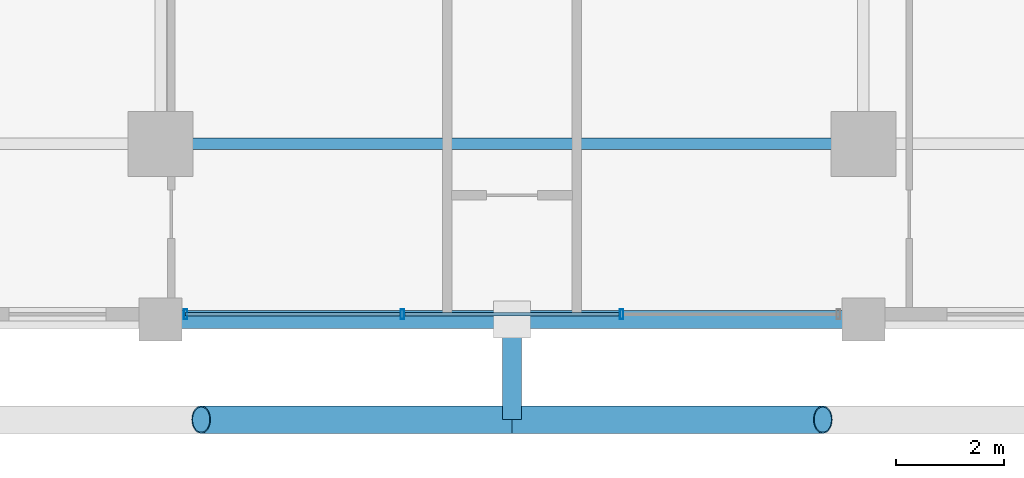
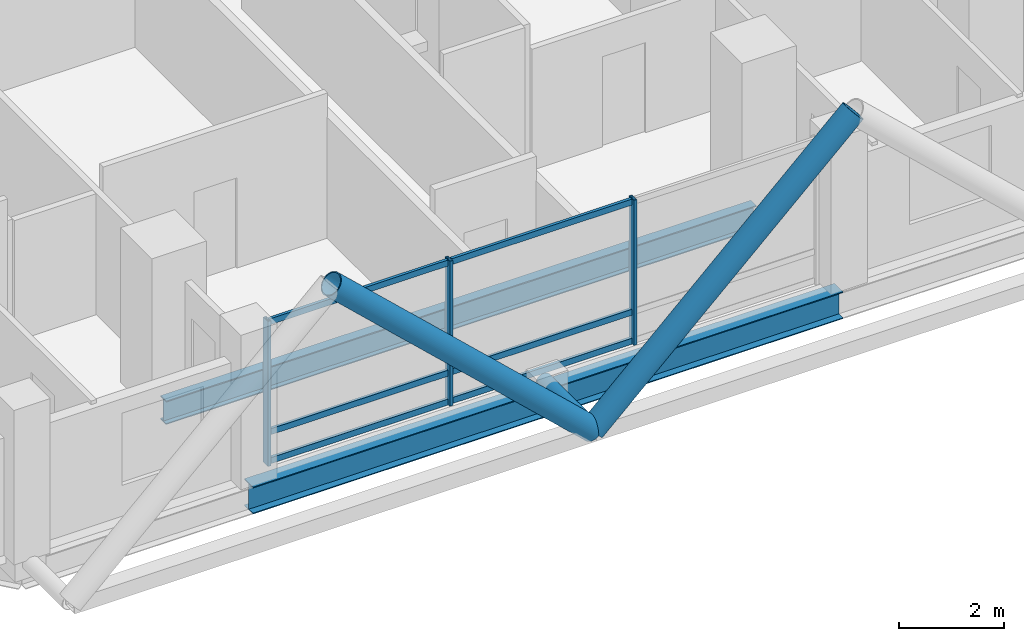
# One storey, part 2 of 25: 12 members, 2 beams, 1 element without a shape of its own.
"""IFC4 building model written with IfcOpenShell, lengths in metres."""

from ifc_helpers import new_model, si_unit, direction, frame, origin, origin_2d, place, context, subcontext, project, spatial, hollow_rectangle, hollow_circle, i_section, extrude, material, layer, layer_set, material_profile, profile_set, type_object, element, aggregate, save


model = new_model("IFC4")

# Units and contexts
model_context = context("Model", 3, precision=1e-05, world=origin(), true_north=direction((0.0, 1.0)))
body_context = subcontext(model_context, "Body", "Model", "MODEL_VIEW")
ifc_project = project(units=[si_unit("LENGTHUNIT", "METRE"), si_unit("AREAUNIT", "SQUARE_METRE"), si_unit("VOLUMEUNIT", "CUBIC_METRE"), si_unit("PLANEANGLEUNIT", "RADIAN"), si_unit("MASSUNIT", "GRAM", prefix="KILO")], contexts=[model_context])

# Site, building, storey
site_placement = place(None, origin())
site = spatial("IfcSite", under=ifc_project, at=site_placement, CompositionType="ELEMENT")
building_placement = place(site_placement, origin())
building = spatial("IfcBuilding", under=site, at=building_placement, Name="Barlavira Tower and Art Museum", CompositionType="ELEMENT")
storey_placement = place(building_placement, frame((0.0, 0.0, 133.199951171875)))
storey = spatial("IfcBuildingStorey", under=building, at=storey_placement, Name="L33", CompositionType="ELEMENT", Elevation=133.199951171875)

# Curtain wall, members
ifc_material_1 = material(Name="Low-iron coastal laminated glass", Category="glass")
ifc_layer = layer(ifc_material_1, 0.18994140625, Name="Low-iron coastal laminated glass")
ifc_layer_set = layer_set([ifc_layer], Name="Low-iron coastal laminated glass")
curtain_wall_type = type_object("IfcCurtainWallType", Name="Pale-Metal Unitised Curtain Wall Zone 2", PredefinedType="NOTDEFINED", material=ifc_layer_set)
curtain_wall_placement = place(storey_placement, origin())
curtain_wall = element("IfcCurtainWall", 1, at=curtain_wall_placement, inside=storey, type_object=curtain_wall_type, Name="L33 Curtain Wall CW2-L33-S-B3", PredefinedType="NOTDEFINED")
ifc_material_2 = material(Name="Pale anodised aluminium", Category="aluminium")
ifc_material_profile_1 = material_profile(ifc_material_2, hollow_rectangle(XDim=0.06494140625, YDim=0.179931640625, WallThickness=0.00390625, at=origin_2d()), Name="ALU-MULL 65x180x4")
ifc_profile_set_1 = profile_set([ifc_material_profile_1], Name="Pale anodised aluminium")
member_type_1 = type_object("IfcMemberType", Name="Curtain Wall Pale-Metal Mullion 65x180", PredefinedType="MULLION", material=ifc_profile_set_1)
member_1_placement = place(storey_placement, frame((-6.034912109375, -23.14990234375, 0.0), z_axis=(0.0, 0.0, 1.0), x_axis=(1.0, 0.0, 0.0)))
member_1 = element("IfcMember", 2, at=member_1_placement, type_object=member_type_1, Name="CW2-L33-S-B3 Mullion 0", PredefinedType="MULLION", context=body_context, shape_type="SweptSolid", body=[
    extrude(hollow_rectangle(XDim=0.06494140625, YDim=0.179931640625, WallThickness=0.00390625, at=origin_2d()), origin(), (0.0, 0.0, 1.0), 3.380126953125),
])
member_2_placement = place(storey_placement, frame((-2.026611328125, -23.14990234375, 0.0), z_axis=(0.0, 0.0, 1.0), x_axis=(1.0, 0.0, 0.0)))
member_2 = element("IfcMember", 3, at=member_2_placement, type_object=member_type_1, Name="CW2-L33-S-B3 Mullion 1", PredefinedType="MULLION", context=body_context, shape_type="SweptSolid", body=[
    extrude(hollow_rectangle(XDim=0.06494140625, YDim=0.179931640625, WallThickness=0.00390625, at=origin_2d()), origin(), (0.0, 0.0, 1.0), 3.380126953125),
])
member_3_placement = place(storey_placement, frame((2.026611328125, -23.14990234375, 0.0), z_axis=(0.0, 0.0, 1.0), x_axis=(1.0, 0.0, 0.0)))
member_3 = element("IfcMember", 4, at=member_3_placement, type_object=member_type_1, Name="CW2-L33-S-B3 Mullion 2", PredefinedType="MULLION", context=body_context, shape_type="SweptSolid", body=[
    extrude(hollow_rectangle(XDim=0.06494140625, YDim=0.179931640625, WallThickness=0.00390625, at=origin_2d()), origin(), (0.0, 0.0, 1.0), 3.380126953125),
])
ifc_material_profile_2 = material_profile(ifc_material_2, hollow_rectangle(XDim=0.06494140625, YDim=0.139892578125, WallThickness=0.00390625, at=origin_2d()), Name="ALU-TRAN 65x140x4")
ifc_profile_set_2 = profile_set([ifc_material_profile_2], Name="Pale anodised aluminium")
member_type_2 = type_object("IfcMemberType", Name="Curtain Wall Pale-Metal Transom 65x140", PredefinedType="USERDEFINED", material=ifc_profile_set_2)
member_4_placement = place(storey_placement, frame((-6.034912109375, -23.14990234375, 0.070068359375), z_axis=(1.0, 0.0, 0.0), x_axis=(0.0, 1.0, 0.0)))
member_4 = element("IfcMember", 5, at=member_4_placement, type_object=member_type_2, Name="CW2-L33-S-B3 Transom 0.1", ObjectType="TRANSOM", PredefinedType="USERDEFINED", context=body_context, shape_type="SweptSolid", body=[
    extrude(hollow_rectangle(XDim=0.06494140625, YDim=0.139892578125, WallThickness=0.00390625, at=origin_2d()), origin(), (0.0, 0.0, 1.0), 3.963134765625),
])
member_5_placement = place(storey_placement, frame((-6.034912109375, -23.14990234375, 0.744140625), z_axis=(1.0, 0.0, 0.0), x_axis=(0.0, 1.0, 0.0)))
member_5 = element("IfcMember", 6, at=member_5_placement, type_object=member_type_2, Name="CW2-L33-S-B3 Transom 0.2", ObjectType="TRANSOM", PredefinedType="USERDEFINED", context=body_context, shape_type="SweptSolid", body=[
    extrude(hollow_rectangle(XDim=0.06494140625, YDim=0.139892578125, WallThickness=0.00390625, at=origin_2d()), origin(), (0.0, 0.0, 1.0), 3.963134765625),
])
member_6_placement = place(storey_placement, frame((-6.034912109375, -23.14990234375, 3.31005859375), z_axis=(1.0, 0.0, 0.0), x_axis=(0.0, 1.0, 0.0)))
member_6 = element("IfcMember", 7, at=member_6_placement, type_object=member_type_2, Name="CW2-L33-S-B3 Transom 0.3", ObjectType="TRANSOM", PredefinedType="USERDEFINED", context=body_context, shape_type="SweptSolid", body=[
    extrude(hollow_rectangle(XDim=0.06494140625, YDim=0.139892578125, WallThickness=0.00390625, at=origin_2d()), origin(), (0.0, 0.0, 1.0), 3.963134765625),
])
member_7_placement = place(storey_placement, frame((-1.981689453125, -23.14990234375, 0.070068359375), z_axis=(1.0, 0.0, 0.0), x_axis=(0.0, 1.0, 0.0)))
member_7 = element("IfcMember", 8, at=member_7_placement, type_object=member_type_2, Name="CW2-L33-S-B3 Transom 1.1", ObjectType="TRANSOM", PredefinedType="USERDEFINED", context=body_context, shape_type="SweptSolid", body=[
    extrude(hollow_rectangle(XDim=0.06494140625, YDim=0.139892578125, WallThickness=0.00390625, at=origin_2d()), origin(), (0.0, 0.0, 1.0), 3.96337890625),
])
member_8_placement = place(storey_placement, frame((-1.981689453125, -23.14990234375, 0.744140625), z_axis=(1.0, 0.0, 0.0), x_axis=(0.0, 1.0, 0.0)))
member_8 = element("IfcMember", 9, at=member_8_placement, type_object=member_type_2, Name="CW2-L33-S-B3 Transom 1.2", ObjectType="TRANSOM", PredefinedType="USERDEFINED", context=body_context, shape_type="SweptSolid", body=[
    extrude(hollow_rectangle(XDim=0.06494140625, YDim=0.139892578125, WallThickness=0.00390625, at=origin_2d()), origin(), (0.0, 0.0, 1.0), 3.96337890625),
])
member_9_placement = place(storey_placement, frame((-1.981689453125, -23.14990234375, 3.31005859375), z_axis=(1.0, 0.0, 0.0), x_axis=(0.0, 1.0, 0.0)))
member_9 = element("IfcMember", 10, at=member_9_placement, type_object=member_type_2, Name="CW2-L33-S-B3 Transom 1.3", ObjectType="TRANSOM", PredefinedType="USERDEFINED", context=body_context, shape_type="SweptSolid", body=[
    extrude(hollow_rectangle(XDim=0.06494140625, YDim=0.139892578125, WallThickness=0.00390625, at=origin_2d()), origin(), (0.0, 0.0, 1.0), 3.96337890625),
])
aggregate(curtain_wall, [member_1, member_2, member_3, member_4, member_5, member_6, member_7, member_8, member_9])

# Members
ifc_material_3 = material(Name="Steel S355", Category="steel")
ifc_material_profile_3 = material_profile(ifc_material_3, hollow_circle(Radius=0.25390625, WallThickness=0.022216796875, at=origin_2d()), Name="CHS 508.0x22.2")
ifc_profile_set_3 = profile_set([ifc_material_profile_3], Name="Steel S355")
member_type_3 = type_object("IfcMemberType", Name="Pale-Metal Exoskeleton Diagrid Tube CHS 508x22 Steel S355", PredefinedType="BRACE", material=ifc_profile_set_3)
for number, where, z_axis, x_axis, name in (
    (11, (0.0, -25.10009765625, -0.119873046875), (-0.728950095515, 0.0, 0.684566839869), (0.0, -1.0, 0.0), "L33 Exoskeleton Diagrid Tube S"),
    (12, (0.0, -25.10009765625, -0.119873046875), (0.728950095515, 0.0, 0.684566839869), (0.0, 1.0, 0.0), "L33 Exoskeleton Diagrid Tube S"),
):
    element("IfcMember", number, at=place(storey_placement, frame(where, z_axis=z_axis, x_axis=x_axis)), inside=storey, type_object=member_type_3, Name=name, PredefinedType="BRACE", context=body_context, shape_type="SweptSolid", body=[
        extrude(hollow_circle(Radius=0.25390625, WallThickness=0.022216796875, at=origin_2d()), origin(), (0.0, 0.0, 1.0), 7.887939453125),
    ])
ifc_material_profile_4 = material_profile(ifc_material_3, hollow_circle(Radius=0.177734375, WallThickness=0.01611328125, at=origin_2d()), Name="CHS 355.6x16.0")
ifc_profile_set_4 = profile_set([ifc_material_profile_4], Name="Steel S355")
member_type_4 = type_object("IfcMemberType", Name="Pale-Metal Exoskeleton Tie Strut CHS 356x16 Steel S355", PredefinedType="STRUT", material=ifc_profile_set_4)
member_10_placement = place(storey_placement, frame((0.0, -25.10009765625, -0.119873046875), z_axis=(0.0, 1.0, 0.0), x_axis=(-1.0, 0.0, 0.0)))
element("IfcMember", 13, at=member_10_placement, inside=storey, type_object=member_type_4, Name="L33 Exoskeleton Tie Strut S2", PredefinedType="STRUT", context=body_context, shape_type="SweptSolid", body=[
    extrude(hollow_circle(Radius=0.177734375, WallThickness=0.01611328125, at=origin_2d()), origin(), (0.0, 0.0, 1.0), 1.85009765625),
])

# Beams
ifc_material_profile_5 = material_profile(ifc_material_3, i_section(OverallWidth=0.327880859375, OverallDepth=0.62890625, WebThickness=0.013916015625, FlangeThickness=0.021484375, at=origin_2d()), Name="W610x174.0")
ifc_profile_set_5 = profile_set([ifc_material_profile_5], Name="Steel S355")
beam_type_1 = type_object("IfcBeamType", Name="Perimeter Spandrel Edge Beam W610x174 Steel S355", PredefinedType="SPANDREL", material=ifc_profile_set_5)
beam_1_placement = place(storey_placement, frame((-6.5, -23.25, -0.534423828125), z_axis=(1.0, 0.0, 0.0), x_axis=(0.0, 1.0, 0.0)))
element("IfcBeam", 14, at=beam_1_placement, inside=storey, type_object=beam_type_1, Name="L33 Spandrel 2", PredefinedType="SPANDREL", context=body_context, shape_type="SweptSolid", body=[
    extrude(i_section(OverallWidth=0.327880859375, OverallDepth=0.62890625, WebThickness=0.013916015625, FlangeThickness=0.021484375, at=origin_2d()), origin(), (0.0, 0.0, 1.0), 13.0),
])
ifc_material_profile_6 = material_profile(ifc_material_3, i_section(OverallWidth=0.214111328125, OverallDepth=0.549072265625, WebThickness=0.0146484375, FlangeThickness=0.023681640625, at=origin_2d()), Name="W530x138.0")
ifc_profile_set_6 = profile_set([ifc_material_profile_6], Name="Steel S355")
beam_type_2 = type_object("IfcBeamType", Name="Zone 1 Primary Floor Girder W530x138 Steel S355", PredefinedType="BEAM", material=ifc_profile_set_6)
beam_2_placement = place(storey_placement, frame((-6.5, -20.0, -0.494384765625), z_axis=(1.0, 0.0, 0.0), x_axis=(0.0, 1.0, 0.0)))
element("IfcBeam", 15, at=beam_2_placement, inside=storey, type_object=beam_type_2, Name="L33 Girder M-S2", PredefinedType="BEAM", context=body_context, shape_type="SweptSolid", body=[
    extrude(i_section(OverallWidth=0.214111328125, OverallDepth=0.549072265625, WebThickness=0.0146484375, FlangeThickness=0.023681640625, at=origin_2d()), origin(), (0.0, 0.0, 1.0), 13.0),
])

save(model, "model.ifc")
